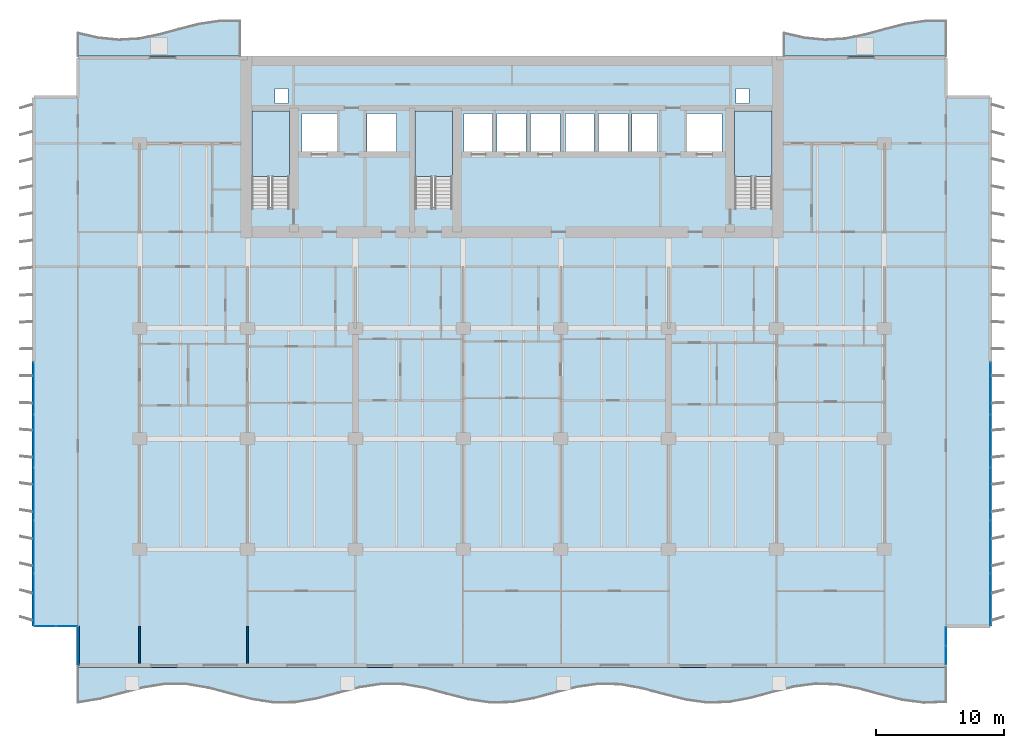
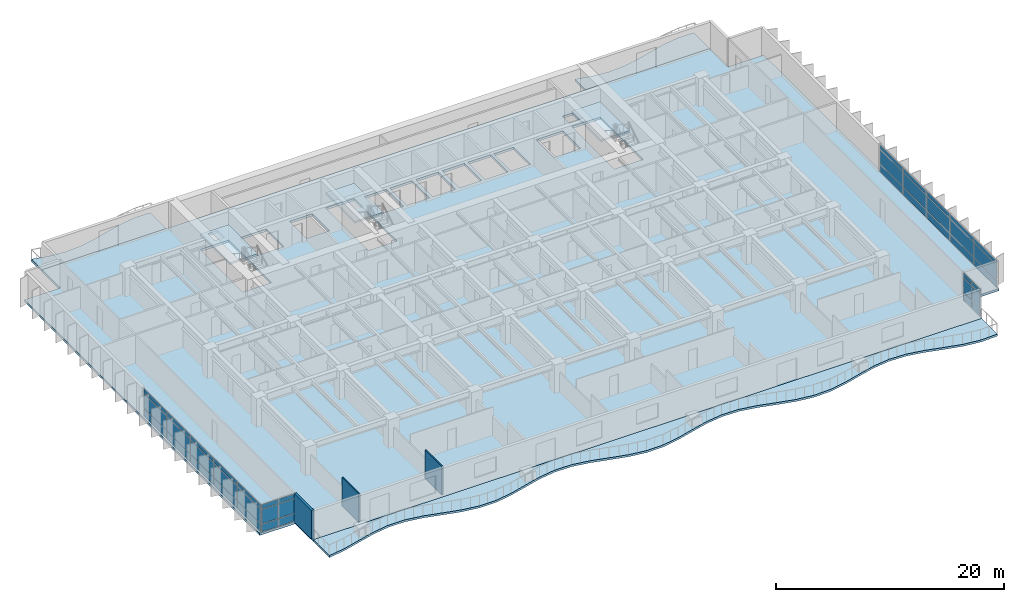
# One storey, part 5 of 16: 42 plates, 7 slabs, 3 walls, 7 elements without a shape of their own.
"""IFC4 building model written with IfcOpenShell, lengths in metres."""

from ifc_helpers import new_model, si_unit, direction, frame, frame_2d, origin, origin_2d, place, context, subcontext, project, spatial, polyline, rectangle, outline, extrude, material, layer, layer_set, type_object, element, aggregate, save


model = new_model("IFC4")

# Units and contexts
model_context = context("Model", 3, precision=1e-05, world=origin(), true_north=direction((0.0, 1.0)))
body_context = subcontext(model_context, "Body", "Model", "MODEL_VIEW")
ifc_project = project(units=[si_unit("LENGTHUNIT", "METRE"), si_unit("AREAUNIT", "SQUARE_METRE"), si_unit("VOLUMEUNIT", "CUBIC_METRE"), si_unit("PLANEANGLEUNIT", "RADIAN"), si_unit("MASSUNIT", "GRAM", prefix="KILO")], contexts=[model_context])

# Site, building, storey
site_placement = place(None, origin())
site = spatial("IfcSite", under=ifc_project, at=site_placement, CompositionType="ELEMENT")
building_placement = place(site_placement, origin())
building = spatial("IfcBuilding", under=site, at=building_placement, Name="Caelmar Bay Residences", CompositionType="ELEMENT")
storey_placement = place(building_placement, frame((0.0, 0.0, 72.89990234375)))
storey = spatial("IfcBuildingStorey", under=building, at=storey_placement, Name="L19", CompositionType="ELEMENT", Elevation=72.89990234375)

# Curtain wall, plates
ifc_material_1 = material(Name="Anodised bronze aluminium 6063-T6 and laminated glass", Category="aluminium")
ifc_layer_1 = layer(ifc_material_1, 0.179931640625)
ifc_layer_set_1 = layer_set([ifc_layer_1], Name="Anodised bronze aluminium 6063-T6 and laminated glass")
curtain_wall_type_1 = type_object("IfcCurtainWallType", Name="CW6-NTC", PredefinedType="NOTDEFINED", material=ifc_layer_set_1)
curtain_wall_1_placement = place(storey_placement, origin())
curtain_wall_1 = element("IfcCurtainWall", 1, at=curtain_wall_1_placement, inside=storey, type_object=curtain_wall_type_1, Name="CW6 curtain wall L19", PredefinedType="NOTDEFINED")
ifc_material_2 = material(Name="Bronze-tinted laminated low-E hurricane glass 28 mm", Category="glass")
ifc_layer_2 = layer(ifc_material_2, 0.028076171875)
ifc_layer_set_2 = layer_set([ifc_layer_2], Name="Bronze-tinted laminated low-E hurricane glass 28 mm")
plate_type = type_object("IfcPlateType", Name="CWP-GLZ28", PredefinedType="CURTAIN_PANEL", material=ifc_layer_set_2)
plate_1_placement = place(storey_placement, frame((2.532470703125, 6.199951171875, 0.080078125), z_axis=(0.0, 0.0, 1.0), x_axis=(1.0, 0.0, 0.0)))
plate_1 = element("IfcPlate", 2, at=plate_1_placement, type_object=plate_type, Name="CW6 panel 1.1", PredefinedType="CURTAIN_PANEL", context=body_context, shape_type="SweptSolid", body=[
    extrude(rectangle(XDim=1.60498046875, YDim=0.028076171875, at=origin_2d()), origin(), (0.0, 0.0, 1.0), 0.780029296875),
])
plate_2_placement = place(storey_placement, frame((2.532470703125, 6.199951171875, 0.940185546875), z_axis=(0.0, 0.0, 1.0), x_axis=(1.0, 0.0, 0.0)))
plate_2 = element("IfcPlate", 3, at=plate_2_placement, type_object=plate_type, Name="CW6 panel 1.2", PredefinedType="CURTAIN_PANEL", context=body_context, shape_type="SweptSolid", body=[
    extrude(rectangle(XDim=1.60498046875, YDim=0.028076171875, at=origin_2d()), origin(), (0.0, 0.0, 1.0), 1.52001953125),
])
plate_3_placement = place(storey_placement, frame((2.532470703125, 6.199951171875, 2.5400390625), z_axis=(0.0, 0.0, 1.0), x_axis=(1.0, 0.0, 0.0)))
plate_3 = element("IfcPlate", 4, at=plate_3_placement, type_object=plate_type, Name="CW6 panel 1.3", PredefinedType="CURTAIN_PANEL", context=body_context, shape_type="SweptSolid", body=[
    extrude(rectangle(XDim=1.60498046875, YDim=0.028076171875, at=origin_2d()), origin(), (0.0, 0.0, 1.0), 0.429931640625),
])
plate_4_placement = place(storey_placement, frame((4.217529296875, 6.199951171875, 0.080078125), z_axis=(0.0, 0.0, 1.0), x_axis=(1.0, 0.0, 0.0)))
plate_4 = element("IfcPlate", 5, at=plate_4_placement, type_object=plate_type, Name="CW6 panel 2.1", PredefinedType="CURTAIN_PANEL", context=body_context, shape_type="SweptSolid", body=[
    extrude(rectangle(XDim=1.60498046875, YDim=0.028076171875, at=origin_2d()), origin(), (0.0, 0.0, 1.0), 0.780029296875),
])
plate_5_placement = place(storey_placement, frame((4.217529296875, 6.199951171875, 0.940185546875), z_axis=(0.0, 0.0, 1.0), x_axis=(1.0, 0.0, 0.0)))
plate_5 = element("IfcPlate", 6, at=plate_5_placement, type_object=plate_type, Name="CW6 panel 2.2", PredefinedType="CURTAIN_PANEL", context=body_context, shape_type="SweptSolid", body=[
    extrude(rectangle(XDim=1.60498046875, YDim=0.028076171875, at=origin_2d()), origin(), (0.0, 0.0, 1.0), 1.52001953125),
])
plate_6_placement = place(storey_placement, frame((4.217529296875, 6.199951171875, 2.5400390625), z_axis=(0.0, 0.0, 1.0), x_axis=(1.0, 0.0, 0.0)))
plate_6 = element("IfcPlate", 7, at=plate_6_placement, type_object=plate_type, Name="CW6 panel 2.3", PredefinedType="CURTAIN_PANEL", context=body_context, shape_type="SweptSolid", body=[
    extrude(rectangle(XDim=1.60498046875, YDim=0.028076171875, at=origin_2d()), origin(), (0.0, 0.0, 1.0), 0.429931640625),
])
aggregate(curtain_wall_1, [plate_1, plate_2, plate_3, plate_4, plate_5, plate_6])

curtain_wall_2_placement = place(storey_placement, origin())
curtain_wall_2 = element("IfcCurtainWall", 8, at=curtain_wall_2_placement, inside=storey, type_object=curtain_wall_type_1, Name="CW6 curtain wall L19", PredefinedType="NOTDEFINED")
plate_7_placement = place(storey_placement, frame((72.699951171875, 3.9326171875, 0.080078125), z_axis=(0.0, 0.0, 1.0), x_axis=(0.0, 1.0, 0.0)))
plate_7 = element("IfcPlate", 9, at=plate_7_placement, type_object=plate_type, Name="CW6 panel 1.1", PredefinedType="CURTAIN_PANEL", context=body_context, shape_type="SweptSolid", body=[
    extrude(rectangle(XDim=1.405029296875, YDim=0.028076171875, at=origin_2d()), origin(), (0.0, 0.0, 1.0), 0.780029296875),
])
plate_8_placement = place(storey_placement, frame((72.699951171875, 3.9326171875, 0.940185546875), z_axis=(0.0, 0.0, 1.0), x_axis=(0.0, 1.0, 0.0)))
plate_8 = element("IfcPlate", 10, at=plate_8_placement, type_object=plate_type, Name="CW6 panel 1.2", PredefinedType="CURTAIN_PANEL", context=body_context, shape_type="SweptSolid", body=[
    extrude(rectangle(XDim=1.405029296875, YDim=0.028076171875, at=origin_2d()), origin(), (0.0, 0.0, 1.0), 1.52001953125),
])
plate_9_placement = place(storey_placement, frame((72.699951171875, 3.9326171875, 2.5400390625), z_axis=(0.0, 0.0, 1.0), x_axis=(0.0, 1.0, 0.0)))
plate_9 = element("IfcPlate", 11, at=plate_9_placement, type_object=plate_type, Name="CW6 panel 1.3", PredefinedType="CURTAIN_PANEL", context=body_context, shape_type="SweptSolid", body=[
    extrude(rectangle(XDim=1.405029296875, YDim=0.028076171875, at=origin_2d()), origin(), (0.0, 0.0, 1.0), 0.429931640625),
])
plate_10_placement = place(storey_placement, frame((72.699951171875, 5.41748046875, 0.080078125), z_axis=(0.0, 0.0, 1.0), x_axis=(0.0, 1.0, 0.0)))
plate_10 = element("IfcPlate", 12, at=plate_10_placement, type_object=plate_type, Name="CW6 panel 2.1", PredefinedType="CURTAIN_PANEL", context=body_context, shape_type="SweptSolid", body=[
    extrude(rectangle(XDim=1.405029296875, YDim=0.028076171875, at=origin_2d()), origin(), (0.0, 0.0, 1.0), 0.780029296875),
])
plate_11_placement = place(storey_placement, frame((72.699951171875, 5.41748046875, 0.940185546875), z_axis=(0.0, 0.0, 1.0), x_axis=(0.0, 1.0, 0.0)))
plate_11 = element("IfcPlate", 13, at=plate_11_placement, type_object=plate_type, Name="CW6 panel 2.2", PredefinedType="CURTAIN_PANEL", context=body_context, shape_type="SweptSolid", body=[
    extrude(rectangle(XDim=1.405029296875, YDim=0.028076171875, at=origin_2d()), origin(), (0.0, 0.0, 1.0), 1.52001953125),
])
plate_12_placement = place(storey_placement, frame((72.699951171875, 5.41748046875, 2.5400390625), z_axis=(0.0, 0.0, 1.0), x_axis=(0.0, 1.0, 0.0)))
plate_12 = element("IfcPlate", 14, at=plate_12_placement, type_object=plate_type, Name="CW6 panel 2.3", PredefinedType="CURTAIN_PANEL", context=body_context, shape_type="SweptSolid", body=[
    extrude(rectangle(XDim=1.405029296875, YDim=0.028076171875, at=origin_2d()), origin(), (0.0, 0.0, 1.0), 0.429931640625),
])
aggregate(curtain_wall_2, [plate_7, plate_8, plate_9, plate_10, plate_11, plate_12])

ifc_layer_3 = layer(ifc_material_1, 0.179931640625)
ifc_layer_set_3 = layer_set([ifc_layer_3], Name="Anodised bronze aluminium 6063-T6 and laminated glass")
curtain_wall_type_2 = type_object("IfcCurtainWallType", Name="CW2-Z1", PredefinedType="NOTDEFINED", material=ifc_layer_set_3)
curtain_wall_3_placement = place(storey_placement, origin())
curtain_wall_3 = element("IfcCurtainWall", 15, at=curtain_wall_3_placement, inside=storey, type_object=curtain_wall_type_2, Name="CW2 curtain wall L19", PredefinedType="NOTDEFINED")
plate_13_placement = place(storey_placement, frame((1.64990234375, 8.280029296875, 0.080078125), z_axis=(0.0, 0.0, 1.0), x_axis=(0.0, 1.0, 0.0)))
plate_13 = element("IfcPlate", 16, at=plate_13_placement, type_object=plate_type, Name="CW2 panel 1.1", PredefinedType="CURTAIN_PANEL", context=body_context, shape_type="SweptSolid", body=[
    extrude(rectangle(XDim=4.0, YDim=0.028076171875, at=origin_2d()), origin(), (0.0, 0.0, 1.0), 0.780029296875),
])
plate_14_placement = place(storey_placement, frame((1.64990234375, 8.280029296875, 0.940185546875), z_axis=(0.0, 0.0, 1.0), x_axis=(0.0, 1.0, 0.0)))
plate_14 = element("IfcPlate", 17, at=plate_14_placement, type_object=plate_type, Name="CW2 panel 1.2", PredefinedType="CURTAIN_PANEL", context=body_context, shape_type="SweptSolid", body=[
    extrude(rectangle(XDim=4.0, YDim=0.028076171875, at=origin_2d()), origin(), (0.0, 0.0, 1.0), 1.52001953125),
])
plate_15_placement = place(storey_placement, frame((1.64990234375, 8.280029296875, 2.5400390625), z_axis=(0.0, 0.0, 1.0), x_axis=(0.0, 1.0, 0.0)))
plate_15 = element("IfcPlate", 18, at=plate_15_placement, type_object=plate_type, Name="CW2 panel 1.3", PredefinedType="CURTAIN_PANEL", context=body_context, shape_type="SweptSolid", body=[
    extrude(rectangle(XDim=4.0, YDim=0.028076171875, at=origin_2d()), origin(), (0.0, 0.0, 1.0), 0.429931640625),
])
plate_16_placement = place(storey_placement, frame((1.64990234375, 12.3798828125, 0.080078125), z_axis=(0.0, 0.0, 1.0), x_axis=(0.0, 1.0, 0.0)))
plate_16 = element("IfcPlate", 19, at=plate_16_placement, type_object=plate_type, Name="CW2 panel 2.1", PredefinedType="CURTAIN_PANEL", context=body_context, shape_type="SweptSolid", body=[
    extrude(rectangle(XDim=4.0400390625, YDim=0.028076171875, at=origin_2d()), origin(), (0.0, 0.0, 1.0), 0.780029296875),
])
plate_17_placement = place(storey_placement, frame((1.64990234375, 12.3798828125, 0.940185546875), z_axis=(0.0, 0.0, 1.0), x_axis=(0.0, 1.0, 0.0)))
plate_17 = element("IfcPlate", 20, at=plate_17_placement, type_object=plate_type, Name="CW2 panel 2.2", PredefinedType="CURTAIN_PANEL", context=body_context, shape_type="SweptSolid", body=[
    extrude(rectangle(XDim=4.0400390625, YDim=0.028076171875, at=origin_2d()), origin(), (0.0, 0.0, 1.0), 1.52001953125),
])
plate_18_placement = place(storey_placement, frame((1.64990234375, 12.3798828125, 2.5400390625), z_axis=(0.0, 0.0, 1.0), x_axis=(0.0, 1.0, 0.0)))
plate_18 = element("IfcPlate", 21, at=plate_18_placement, type_object=plate_type, Name="CW2 panel 2.3", PredefinedType="CURTAIN_PANEL", context=body_context, shape_type="SweptSolid", body=[
    extrude(rectangle(XDim=4.0400390625, YDim=0.028076171875, at=origin_2d()), origin(), (0.0, 0.0, 1.0), 0.429931640625),
])
plate_19_placement = place(storey_placement, frame((1.64990234375, 16.5, 0.080078125), z_axis=(0.0, 0.0, 1.0), x_axis=(0.0, 1.0, 0.0)))
plate_19 = element("IfcPlate", 22, at=plate_19_placement, type_object=plate_type, Name="CW2 panel 3.1", PredefinedType="CURTAIN_PANEL", context=body_context, shape_type="SweptSolid", body=[
    extrude(rectangle(XDim=4.0400390625, YDim=0.028076171875, at=origin_2d()), origin(), (0.0, 0.0, 1.0), 0.780029296875),
])
plate_20_placement = place(storey_placement, frame((1.64990234375, 16.5, 0.940185546875), z_axis=(0.0, 0.0, 1.0), x_axis=(0.0, 1.0, 0.0)))
plate_20 = element("IfcPlate", 23, at=plate_20_placement, type_object=plate_type, Name="CW2 panel 3.2", PredefinedType="CURTAIN_PANEL", context=body_context, shape_type="SweptSolid", body=[
    extrude(rectangle(XDim=4.0400390625, YDim=0.028076171875, at=origin_2d()), origin(), (0.0, 0.0, 1.0), 1.52001953125),
])
plate_21_placement = place(storey_placement, frame((1.64990234375, 16.5, 2.5400390625), z_axis=(0.0, 0.0, 1.0), x_axis=(0.0, 1.0, 0.0)))
plate_21 = element("IfcPlate", 24, at=plate_21_placement, type_object=plate_type, Name="CW2 panel 3.3", PredefinedType="CURTAIN_PANEL", context=body_context, shape_type="SweptSolid", body=[
    extrude(rectangle(XDim=4.0400390625, YDim=0.028076171875, at=origin_2d()), origin(), (0.0, 0.0, 1.0), 0.429931640625),
])
plate_22_placement = place(storey_placement, frame((1.64990234375, 20.6201171875, 0.080078125), z_axis=(0.0, 0.0, 1.0), x_axis=(0.0, 1.0, 0.0)))
plate_22 = element("IfcPlate", 25, at=plate_22_placement, type_object=plate_type, Name="CW2 panel 4.1", PredefinedType="CURTAIN_PANEL", context=body_context, shape_type="SweptSolid", body=[
    extrude(rectangle(XDim=4.0400390625, YDim=0.028076171875, at=origin_2d()), origin(), (0.0, 0.0, 1.0), 0.780029296875),
])
plate_23_placement = place(storey_placement, frame((1.64990234375, 20.6201171875, 0.940185546875), z_axis=(0.0, 0.0, 1.0), x_axis=(0.0, 1.0, 0.0)))
plate_23 = element("IfcPlate", 26, at=plate_23_placement, type_object=plate_type, Name="CW2 panel 4.2", PredefinedType="CURTAIN_PANEL", context=body_context, shape_type="SweptSolid", body=[
    extrude(rectangle(XDim=4.0400390625, YDim=0.028076171875, at=origin_2d()), origin(), (0.0, 0.0, 1.0), 1.52001953125),
])
plate_24_placement = place(storey_placement, frame((1.64990234375, 20.6201171875, 2.5400390625), z_axis=(0.0, 0.0, 1.0), x_axis=(0.0, 1.0, 0.0)))
plate_24 = element("IfcPlate", 27, at=plate_24_placement, type_object=plate_type, Name="CW2 panel 4.3", PredefinedType="CURTAIN_PANEL", context=body_context, shape_type="SweptSolid", body=[
    extrude(rectangle(XDim=4.0400390625, YDim=0.028076171875, at=origin_2d()), origin(), (0.0, 0.0, 1.0), 0.429931640625),
])
plate_25_placement = place(storey_placement, frame((1.64990234375, 24.719970703125, 0.080078125), z_axis=(0.0, 0.0, 1.0), x_axis=(0.0, 1.0, 0.0)))
plate_25 = element("IfcPlate", 28, at=plate_25_placement, type_object=plate_type, Name="CW2 panel 5.1", PredefinedType="CURTAIN_PANEL", context=body_context, shape_type="SweptSolid", body=[
    extrude(rectangle(XDim=4.0, YDim=0.028076171875, at=origin_2d()), origin(), (0.0, 0.0, 1.0), 0.780029296875),
])
plate_26_placement = place(storey_placement, frame((1.64990234375, 24.719970703125, 0.940185546875), z_axis=(0.0, 0.0, 1.0), x_axis=(0.0, 1.0, 0.0)))
plate_26 = element("IfcPlate", 29, at=plate_26_placement, type_object=plate_type, Name="CW2 panel 5.2", PredefinedType="CURTAIN_PANEL", context=body_context, shape_type="SweptSolid", body=[
    extrude(rectangle(XDim=4.0, YDim=0.028076171875, at=origin_2d()), origin(), (0.0, 0.0, 1.0), 1.52001953125),
])
plate_27_placement = place(storey_placement, frame((1.64990234375, 24.719970703125, 2.5400390625), z_axis=(0.0, 0.0, 1.0), x_axis=(0.0, 1.0, 0.0)))
plate_27 = element("IfcPlate", 30, at=plate_27_placement, type_object=plate_type, Name="CW2 panel 5.3", PredefinedType="CURTAIN_PANEL", context=body_context, shape_type="SweptSolid", body=[
    extrude(rectangle(XDim=4.0, YDim=0.028076171875, at=origin_2d()), origin(), (0.0, 0.0, 1.0), 0.429931640625),
])
aggregate(curtain_wall_3, [plate_13, plate_14, plate_15, plate_16, plate_17, plate_18, plate_19, plate_20, plate_21, plate_22, plate_23, plate_24, plate_25, plate_26, plate_27])

curtain_wall_4_placement = place(storey_placement, origin())
curtain_wall_4 = element("IfcCurtainWall", 31, at=curtain_wall_4_placement, inside=storey, type_object=curtain_wall_type_2, Name="CW2 curtain wall L19", PredefinedType="NOTDEFINED")
plate_28_placement = place(storey_placement, frame((76.14990234375, 24.719970703125, 0.080078125), z_axis=(0.0, 0.0, 1.0), x_axis=(0.0, -1.0, 0.0)))
plate_28 = element("IfcPlate", 32, at=plate_28_placement, type_object=plate_type, Name="CW2 panel 1.1", PredefinedType="CURTAIN_PANEL", context=body_context, shape_type="SweptSolid", body=[
    extrude(rectangle(XDim=4.0, YDim=0.028076171875, at=origin_2d()), origin(), (0.0, 0.0, 1.0), 0.780029296875),
])
plate_29_placement = place(storey_placement, frame((76.14990234375, 24.719970703125, 0.940185546875), z_axis=(0.0, 0.0, 1.0), x_axis=(0.0, -1.0, 0.0)))
plate_29 = element("IfcPlate", 33, at=plate_29_placement, type_object=plate_type, Name="CW2 panel 1.2", PredefinedType="CURTAIN_PANEL", context=body_context, shape_type="SweptSolid", body=[
    extrude(rectangle(XDim=4.0, YDim=0.028076171875, at=origin_2d()), origin(), (0.0, 0.0, 1.0), 1.52001953125),
])
plate_30_placement = place(storey_placement, frame((76.14990234375, 24.719970703125, 2.5400390625), z_axis=(0.0, 0.0, 1.0), x_axis=(0.0, -1.0, 0.0)))
plate_30 = element("IfcPlate", 34, at=plate_30_placement, type_object=plate_type, Name="CW2 panel 1.3", PredefinedType="CURTAIN_PANEL", context=body_context, shape_type="SweptSolid", body=[
    extrude(rectangle(XDim=4.0, YDim=0.028076171875, at=origin_2d()), origin(), (0.0, 0.0, 1.0), 0.429931640625),
])
plate_31_placement = place(storey_placement, frame((76.14990234375, 20.6201171875, 0.080078125), z_axis=(0.0, 0.0, 1.0), x_axis=(0.0, -1.0, 0.0)))
plate_31 = element("IfcPlate", 35, at=plate_31_placement, type_object=plate_type, Name="CW2 panel 2.1", PredefinedType="CURTAIN_PANEL", context=body_context, shape_type="SweptSolid", body=[
    extrude(rectangle(XDim=4.0400390625, YDim=0.028076171875, at=origin_2d()), origin(), (0.0, 0.0, 1.0), 0.780029296875),
])
plate_32_placement = place(storey_placement, frame((76.14990234375, 20.6201171875, 0.940185546875), z_axis=(0.0, 0.0, 1.0), x_axis=(0.0, -1.0, 0.0)))
plate_32 = element("IfcPlate", 36, at=plate_32_placement, type_object=plate_type, Name="CW2 panel 2.2", PredefinedType="CURTAIN_PANEL", context=body_context, shape_type="SweptSolid", body=[
    extrude(rectangle(XDim=4.0400390625, YDim=0.028076171875, at=origin_2d()), origin(), (0.0, 0.0, 1.0), 1.52001953125),
])
plate_33_placement = place(storey_placement, frame((76.14990234375, 20.6201171875, 2.5400390625), z_axis=(0.0, 0.0, 1.0), x_axis=(0.0, -1.0, 0.0)))
plate_33 = element("IfcPlate", 37, at=plate_33_placement, type_object=plate_type, Name="CW2 panel 2.3", PredefinedType="CURTAIN_PANEL", context=body_context, shape_type="SweptSolid", body=[
    extrude(rectangle(XDim=4.0400390625, YDim=0.028076171875, at=origin_2d()), origin(), (0.0, 0.0, 1.0), 0.429931640625),
])
plate_34_placement = place(storey_placement, frame((76.14990234375, 16.5, 0.080078125), z_axis=(0.0, 0.0, 1.0), x_axis=(0.0, -1.0, 0.0)))
plate_34 = element("IfcPlate", 38, at=plate_34_placement, type_object=plate_type, Name="CW2 panel 3.1", PredefinedType="CURTAIN_PANEL", context=body_context, shape_type="SweptSolid", body=[
    extrude(rectangle(XDim=4.0400390625, YDim=0.028076171875, at=origin_2d()), origin(), (0.0, 0.0, 1.0), 0.780029296875),
])
plate_35_placement = place(storey_placement, frame((76.14990234375, 16.5, 0.940185546875), z_axis=(0.0, 0.0, 1.0), x_axis=(0.0, -1.0, 0.0)))
plate_35 = element("IfcPlate", 39, at=plate_35_placement, type_object=plate_type, Name="CW2 panel 3.2", PredefinedType="CURTAIN_PANEL", context=body_context, shape_type="SweptSolid", body=[
    extrude(rectangle(XDim=4.0400390625, YDim=0.028076171875, at=origin_2d()), origin(), (0.0, 0.0, 1.0), 1.52001953125),
])
plate_36_placement = place(storey_placement, frame((76.14990234375, 16.5, 2.5400390625), z_axis=(0.0, 0.0, 1.0), x_axis=(0.0, -1.0, 0.0)))
plate_36 = element("IfcPlate", 40, at=plate_36_placement, type_object=plate_type, Name="CW2 panel 3.3", PredefinedType="CURTAIN_PANEL", context=body_context, shape_type="SweptSolid", body=[
    extrude(rectangle(XDim=4.0400390625, YDim=0.028076171875, at=origin_2d()), origin(), (0.0, 0.0, 1.0), 0.429931640625),
])
plate_37_placement = place(storey_placement, frame((76.14990234375, 12.3798828125, 0.080078125), z_axis=(0.0, 0.0, 1.0), x_axis=(0.0, -1.0, 0.0)))
plate_37 = element("IfcPlate", 41, at=plate_37_placement, type_object=plate_type, Name="CW2 panel 4.1", PredefinedType="CURTAIN_PANEL", context=body_context, shape_type="SweptSolid", body=[
    extrude(rectangle(XDim=4.0400390625, YDim=0.028076171875, at=origin_2d()), origin(), (0.0, 0.0, 1.0), 0.780029296875),
])
plate_38_placement = place(storey_placement, frame((76.14990234375, 12.3798828125, 0.940185546875), z_axis=(0.0, 0.0, 1.0), x_axis=(0.0, -1.0, 0.0)))
plate_38 = element("IfcPlate", 42, at=plate_38_placement, type_object=plate_type, Name="CW2 panel 4.2", PredefinedType="CURTAIN_PANEL", context=body_context, shape_type="SweptSolid", body=[
    extrude(rectangle(XDim=4.0400390625, YDim=0.028076171875, at=origin_2d()), origin(), (0.0, 0.0, 1.0), 1.52001953125),
])
plate_39_placement = place(storey_placement, frame((76.14990234375, 12.3798828125, 2.5400390625), z_axis=(0.0, 0.0, 1.0), x_axis=(0.0, -1.0, 0.0)))
plate_39 = element("IfcPlate", 43, at=plate_39_placement, type_object=plate_type, Name="CW2 panel 4.3", PredefinedType="CURTAIN_PANEL", context=body_context, shape_type="SweptSolid", body=[
    extrude(rectangle(XDim=4.0400390625, YDim=0.028076171875, at=origin_2d()), origin(), (0.0, 0.0, 1.0), 0.429931640625),
])
plate_40_placement = place(storey_placement, frame((76.14990234375, 8.280029296875, 0.080078125), z_axis=(0.0, 0.0, 1.0), x_axis=(0.0, -1.0, 0.0)))
plate_40 = element("IfcPlate", 44, at=plate_40_placement, type_object=plate_type, Name="CW2 panel 5.1", PredefinedType="CURTAIN_PANEL", context=body_context, shape_type="SweptSolid", body=[
    extrude(rectangle(XDim=4.0, YDim=0.028076171875, at=origin_2d()), origin(), (0.0, 0.0, 1.0), 0.780029296875),
])
plate_41_placement = place(storey_placement, frame((76.14990234375, 8.280029296875, 0.940185546875), z_axis=(0.0, 0.0, 1.0), x_axis=(0.0, -1.0, 0.0)))
plate_41 = element("IfcPlate", 45, at=plate_41_placement, type_object=plate_type, Name="CW2 panel 5.2", PredefinedType="CURTAIN_PANEL", context=body_context, shape_type="SweptSolid", body=[
    extrude(rectangle(XDim=4.0, YDim=0.028076171875, at=origin_2d()), origin(), (0.0, 0.0, 1.0), 1.52001953125),
])
plate_42_placement = place(storey_placement, frame((76.14990234375, 8.280029296875, 2.5400390625), z_axis=(0.0, 0.0, 1.0), x_axis=(0.0, -1.0, 0.0)))
plate_42 = element("IfcPlate", 46, at=plate_42_placement, type_object=plate_type, Name="CW2 panel 5.3", PredefinedType="CURTAIN_PANEL", context=body_context, shape_type="SweptSolid", body=[
    extrude(rectangle(XDim=4.0, YDim=0.028076171875, at=origin_2d()), origin(), (0.0, 0.0, 1.0), 0.429931640625),
])
aggregate(curtain_wall_4, [plate_28, plate_29, plate_30, plate_31, plate_32, plate_33, plate_34, plate_35, plate_36, plate_37, plate_38, plate_39, plate_40, plate_41, plate_42])

# Slabs
ifc_material_3 = material(Name="Concrete f'c 40 MPa (6,000 psi)", Category="concrete")
ifc_layer_4 = layer(ifc_material_3, 0.219970703125)
ifc_layer_set_4 = layer_set([ifc_layer_4], Name="Concrete f'c 40 MPa (6,000 psi)")
slab_type_1 = type_object("IfcSlabType", Name="SLB-BAL-220", PredefinedType="FLOOR", material=ifc_layer_set_4)
slab_1_placement = place(storey_placement, frame((0.0, 0.0, -0.219970703125)))
element("IfcSlab", 47, at=slab_1_placement, inside=storey, type_object=slab_type_1, Name="L19 Sinusoidal Tree-Balcony Slab south", PredefinedType="FLOOR", context=body_context, shape_type="SweptSolid", body=[
    extrude(outline(polyline([(5.10009765625, 0.186767578125), (6.7900390625, 0.46142578125), (8.47998046875, 0.905517578125), (10.169921875, 1.34765625), (11.860107421875, 1.61669921875), (13.550048828125, 1.60888671875), (15.239990234375, 1.3271484375), (16.929931640625, 0.88037109375), (18.6201171875, 0.441162109375), (20.31005859375, 0.17919921875), (22.0, 0.19580078125), (23.68994140625, 0.484619140625), (25.3798828125, 0.93359375), (27.070068359375, 1.369873046875), (28.760009765625, 1.62451171875), (30.449951171875, 1.59912109375), (32.139892578125, 1.3037109375), (33.830078125, 0.852294921875), (35.52001953125, 0.419189453125), (37.2099609375, 0.172119140625), (38.89990234375, 0.2060546875), (40.590087890625, 0.508056640625), (42.280029296875, 0.961669921875), (43.969970703125, 1.391357421875), (45.659912109375, 1.631103515625), (47.35009765625, 1.58837890625), (49.0400390625, 1.27978515625), (50.72998046875, 0.824462890625), (52.419921875, 0.398193359375), (54.110107421875, 0.165771484375), (55.800048828125, 0.217041015625), (57.489990234375, 0.5322265625), (59.179931640625, 0.989501953125), (60.8701171875, 1.412109375), (62.56005859375, 1.636962890625), (64.25, 1.576904296875), (65.93994140625, 1.25537109375), (67.6298828125, 0.79638671875), (69.320068359375, 0.377685546875), (71.010009765625, 0.16064453125), (72.699951171875, 0.229248046875), (72.699951171875, 3.0), (5.10009765625, 3.0), (5.10009765625, 0.186767578125)])), origin(), (0.0, 0.0, 1.0), 0.219970703125),
])
slab_2_placement = place(storey_placement, frame((0.0, 0.0, -0.219970703125)))
element("IfcSlab", 48, at=slab_2_placement, inside=storey, type_object=slab_type_1, Name="L19 Sinusoidal Tree-Balcony Slab north_west", PredefinedType="FLOOR", context=body_context, shape_type="SweptSolid", body=[
    extrude(outline(polyline([(5.10009765625, 50.60009765625), (17.699951171875, 50.60009765625), (17.699951171875, 53.413330078125), (16.125, 53.421875), (14.550048828125, 53.18701171875), (12.97509765625, 52.7880859375), (11.39990234375, 52.359619140625), (9.824951171875, 52.045654296875), (8.25, 51.952392578125), (6.675048828125, 52.111083984375), (5.10009765625, 52.46826171875), (5.10009765625, 50.60009765625)])), origin(), (0.0, 0.0, 1.0), 0.219970703125),
])
slab_3_placement = place(storey_placement, frame((0.0, 0.0, -0.219970703125)))
element("IfcSlab", 49, at=slab_3_placement, inside=storey, type_object=slab_type_1, Name="L19 Sinusoidal Tree-Balcony Slab north_east", PredefinedType="FLOOR", context=body_context, shape_type="SweptSolid", body=[
    extrude(outline(polyline([(60.10009765625, 50.60009765625), (72.699951171875, 50.60009765625), (72.699951171875, 53.413330078125), (71.125, 53.421875), (69.550048828125, 53.18701171875), (67.97509765625, 52.7880859375), (66.39990234375, 52.359619140625), (64.824951171875, 52.045654296875), (63.25, 51.952392578125), (61.675048828125, 52.111083984375), (60.10009765625, 52.46826171875), (60.10009765625, 50.60009765625)])), origin(), (0.0, 0.0, 1.0), 0.219970703125),
])

# Stair, slab
stair_type = type_object("IfcStairType", Name="ST-TYP-165", PredefinedType="HALF_TURN_STAIR", material=ifc_material_3)
stair_1_placement = place(storey_placement, origin())
stair_1 = element("IfcStair", 50, at=stair_1_placement, inside=storey, type_object=stair_type, Name="L19 West Smokeproof Exit Stair ST1", PredefinedType="HALF_TURN_STAIR")
ifc_layer_5 = layer(ifc_material_3, 0.199951171875)
ifc_layer_set_5 = layer_set([ifc_layer_5], Name="Concrete f'c 40 MPa (6,000 psi)")
slab_type_2 = type_object("IfcSlabType", Name="SLB-LND-200", PredefinedType="LANDING", material=ifc_layer_set_5)
slab_4_placement = place(storey_placement, frame((0.0, 0.0, 1.4501953125)))
slab_4 = element("IfcSlab", 51, at=slab_4_placement, type_object=slab_type_2, Name="ST1 landing 1", PredefinedType="LANDING", context=body_context, shape_type="SweptSolid", body=[
    extrude(outline(polyline([(21.550048828125, 41.219970703125), (21.550048828125, 46.35009765625), (18.64990234375, 46.35009765625), (18.64990234375, 41.219970703125), (21.550048828125, 41.219970703125)])), origin(), (0.0, 0.0, 1.0), 0.199951171875),
])
aggregate(stair_1, [slab_4])

stair_2_placement = place(storey_placement, origin())
stair_2 = element("IfcStair", 52, at=stair_2_placement, inside=storey, type_object=stair_type, Name="L19 East Smokeproof Exit Stair ST2", PredefinedType="HALF_TURN_STAIR")
slab_5_placement = place(storey_placement, frame((0.0, 0.0, 1.4501953125)))
slab_5 = element("IfcSlab", 53, at=slab_5_placement, type_object=slab_type_2, Name="ST2 landing 1", PredefinedType="LANDING", context=body_context, shape_type="SweptSolid", body=[
    extrude(outline(polyline([(59.14990234375, 41.219970703125), (59.14990234375, 46.35009765625), (56.25, 46.35009765625), (56.25, 41.219970703125), (59.14990234375, 41.219970703125)])), origin(), (0.0, 0.0, 1.0), 0.199951171875),
])
aggregate(stair_2, [slab_5])

stair_3_placement = place(storey_placement, origin())
stair_3 = element("IfcStair", 54, at=stair_3_placement, inside=storey, type_object=stair_type, Name="L19 Central Smokeproof Exit Stair ST3", PredefinedType="HALF_TURN_STAIR")
slab_6_placement = place(storey_placement, frame((0.0, 0.0, 1.4501953125)))
slab_6 = element("IfcSlab", 55, at=slab_6_placement, type_object=slab_type_2, Name="ST3 landing 1", PredefinedType="LANDING", context=body_context, shape_type="SweptSolid", body=[
    extrude(outline(polyline([(34.25, 41.219970703125), (34.25, 46.35009765625), (31.35009765625, 46.35009765625), (31.35009765625, 41.219970703125), (34.25, 41.219970703125)])), origin(), (0.0, 0.0, 1.0), 0.199951171875),
])
aggregate(stair_3, [slab_6])

# Slab
ifc_layer_6 = layer(ifc_material_3, 0.25)
ifc_layer_set_6 = layer_set([ifc_layer_6], Name="Concrete f'c 40 MPa (6,000 psi)")
slab_type_3 = type_object("IfcSlabType", Name="SLB-RES-250", PredefinedType="FLOOR", material=ifc_layer_set_6)
slab_7_placement = place(storey_placement, frame((0.0, 0.0, -0.25)))
element("IfcSlab", 56, at=slab_7_placement, inside=storey, type_object=slab_type_3, Name="L19 Structural Floor Slab", PredefinedType="FLOOR", context=body_context, shape_type="SweptSolid", body=[
    extrude(outline(polyline([(5.10009765625, 3.0), (72.699951171875, 3.0), (72.699951171875, 6.199951171875), (76.300048828125, 6.199951171875), (76.300048828125, 47.39990234375), (72.699951171875, 47.39990234375), (72.699951171875, 50.60009765625), (5.10009765625, 50.60009765625), (5.10009765625, 47.39990234375), (1.5, 47.39990234375), (1.5, 6.199951171875), (5.10009765625, 6.199951171875), (5.10009765625, 3.0)]), holes=[polyline([(18.64990234375, 38.85009765625), (21.550048828125, 38.85009765625), (21.550048828125, 46.35009765625), (18.64990234375, 46.35009765625), (18.64990234375, 38.85009765625)]), polyline([(56.25, 38.85009765625), (59.14990234375, 38.85009765625), (59.14990234375, 46.35009765625), (56.25, 46.35009765625), (56.25, 38.85009765625)]), polyline([(31.35009765625, 38.85009765625), (34.25, 38.85009765625), (34.25, 46.35009765625), (31.35009765625, 46.35009765625), (31.35009765625, 38.85009765625)]), polyline([(22.550048828125, 43.050048828125), (25.25, 43.050048828125), (25.25, 46.14990234375), (22.550048828125, 46.14990234375), (22.550048828125, 43.050048828125)]), polyline([(52.550048828125, 43.050048828125), (55.25, 43.050048828125), (55.25, 46.14990234375), (52.550048828125, 46.14990234375), (52.550048828125, 43.050048828125)]), polyline([(35.14990234375, 43.14990234375), (37.39990234375, 43.14990234375), (37.39990234375, 46.14990234375), (35.14990234375, 46.14990234375), (35.14990234375, 43.14990234375)]), polyline([(37.75, 43.14990234375), (40.0, 43.14990234375), (40.0, 46.14990234375), (37.75, 46.14990234375), (37.75, 43.14990234375)]), polyline([(40.35009765625, 43.14990234375), (42.64990234375, 43.14990234375), (42.64990234375, 46.14990234375), (40.35009765625, 46.14990234375), (40.35009765625, 43.14990234375)]), polyline([(43.050048828125, 43.14990234375), (45.300048828125, 43.14990234375), (45.300048828125, 46.14990234375), (43.050048828125, 46.14990234375), (43.050048828125, 43.14990234375)]), polyline([(45.64990234375, 43.14990234375), (47.949951171875, 43.14990234375), (47.949951171875, 46.14990234375), (45.64990234375, 46.14990234375), (45.64990234375, 43.14990234375)]), polyline([(48.25, 43.14990234375), (50.25, 43.14990234375), (50.25, 46.14990234375), (48.25, 46.14990234375), (48.25, 43.14990234375)]), polyline([(27.60009765625, 43.14990234375), (29.89990234375, 43.14990234375), (29.89990234375, 46.14990234375), (27.60009765625, 46.14990234375), (27.60009765625, 43.14990234375)]), polyline([(20.449951171875, 46.89990234375), (21.449951171875, 46.89990234375), (21.449951171875, 48.10009765625), (20.449951171875, 48.10009765625), (20.449951171875, 46.89990234375)]), polyline([(56.35009765625, 46.89990234375), (57.35009765625, 46.89990234375), (57.35009765625, 48.10009765625), (56.35009765625, 48.10009765625), (56.35009765625, 46.89990234375)])]), origin(), (0.0, 0.0, 1.0), 0.25),
])

# Walls
ifc_material_4 = material(Name="Precast concrete f'c 40 MPa (6,000 psi)", Category="concrete")
ifc_layer_7 = layer(ifc_material_4, 0.25)
ifc_layer_set_7 = layer_set([ifc_layer_7], Name="Precast concrete f'c 40 MPa (6,000 psi)")
wall_type_1 = type_object("IfcWallType", Name="W-EXT-250", PredefinedType="ELEMENTEDWALL", material=ifc_layer_set_7)
wall_placement = place(storey_placement, frame((5.10009765625, 6.199951171875, 0.0), z_axis=(0.0, 0.0, 1.0), x_axis=(0.0, -1.0, 0.0)))
element("IfcWall", 57, at=wall_placement, inside=storey, type_object=wall_type_1, Name="L19 SW Notch Return Wall", PredefinedType="ELEMENTEDWALL", context=body_context, shape_type="SweptSolid", body=[
    extrude(rectangle(XDim=3.050048828125, YDim=0.25, at=frame_2d((1.52490234375, 0.0))), origin(), (0.0, 0.0, 1.0), 3.050048828125),
])
ifc_material_5 = material(Name="Acoustic metal-stud gypsum partition 120 mm")
ifc_layer_8 = layer(ifc_material_5, 0.1201171875)
ifc_layer_set_8 = layer_set([ifc_layer_8], Name="Acoustic metal-stud gypsum partition 120 mm")
wall_type_2 = type_object("IfcWallType", Name="W-PRT-120", PredefinedType="PARTITIONING", material=ifc_layer_set_8)
for number, where, z_axis, x_axis, name in (
    (58, (9.89990234375, 3.294921875, 0.0), (0.0, 0.0, 1.0), (0.0, 1.0, 0.0), "L19 Partition Wall V004"),
    (59, (18.300048828125, 3.294921875, 0.0), (0.0, 0.0, 1.0), (0.0, 1.0, 0.0), "L19 Partition Wall V010"),
):
    element("IfcWall", number, at=place(storey_placement, frame(where, z_axis=z_axis, x_axis=x_axis)), inside=storey, type_object=wall_type_2, Name=name, PredefinedType="PARTITIONING", context=body_context, shape_type="SweptSolid", body=[
        extrude(rectangle(XDim=2.905029296875, YDim=0.1201171875, at=frame_2d((1.45263671875, 0.0))), origin(), (0.0, 0.0, 1.0), 3.050048828125),
    ])

save(model, "model.ifc")
